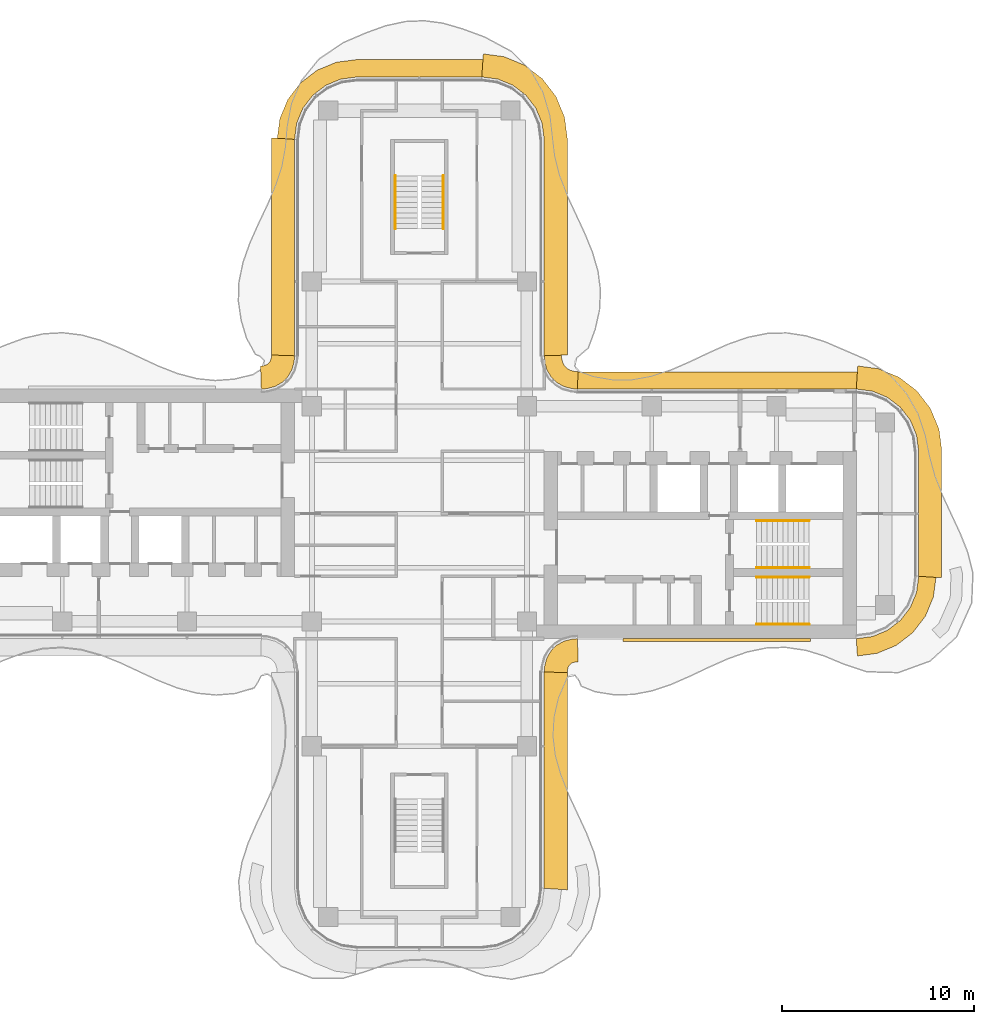
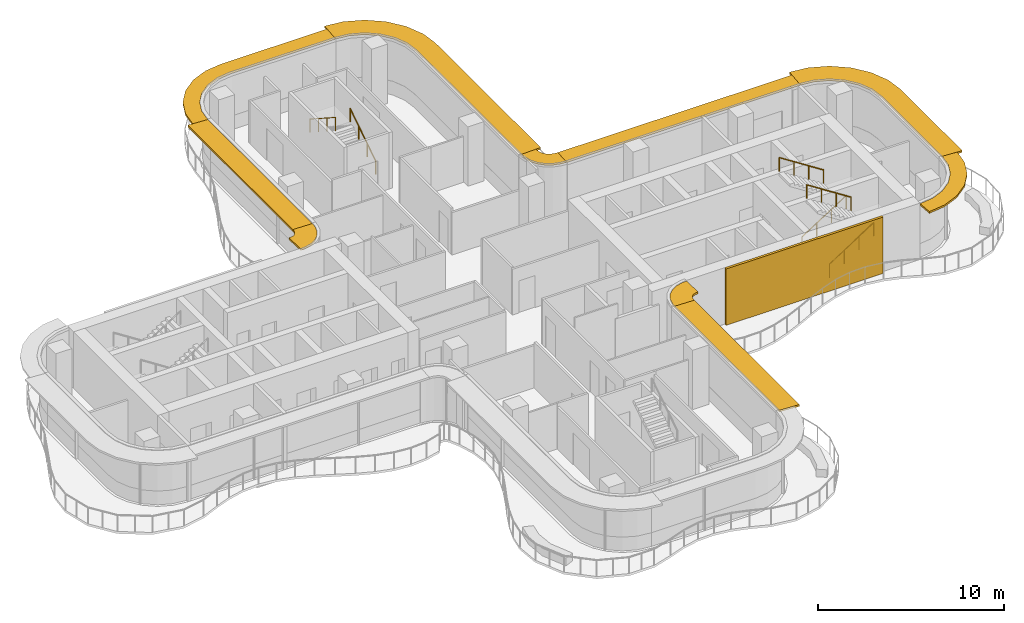
# One storey, part 17 of 17: 10 shading devices, 6 railings, 1 covering.
"""IFC4 building model written with IfcOpenShell, lengths in metres."""

from ifc_helpers import new_model, si_unit, direction, frame, origin, origin_2d, place, context, subcontext, project, spatial, polyline, circle, outline, extrude, source, transform, mapped, material, layer, layer_set, type_object, element, save


model = new_model("IFC4")

# Units and contexts
model_context = context("Model", 3, precision=1e-05, world=origin(), true_north=direction((0.0, 1.0)))
body_context = subcontext(model_context, "Body", "Model", "MODEL_VIEW")
ifc_project = project(units=[si_unit("LENGTHUNIT", "METRE"), si_unit("AREAUNIT", "SQUARE_METRE"), si_unit("VOLUMEUNIT", "CUBIC_METRE"), si_unit("PLANEANGLEUNIT", "RADIAN"), si_unit("MASSUNIT", "GRAM", prefix="KILO")], contexts=[model_context])

# Site, building, storey
site_placement = place(None, origin())
site = spatial("IfcSite", under=ifc_project, at=site_placement, CompositionType="ELEMENT")
building_placement = place(site_placement, origin())
building = spatial("IfcBuilding", under=site, at=building_placement, Name="Trellis Farm Tower", CompositionType="ELEMENT")
storey_placement = place(building_placement, frame((0.0, 0.0, 295.0)))
storey = spatial("IfcBuildingStorey", under=building, at=storey_placement, Name="L66", CompositionType="ELEMENT", Elevation=295.0)

# Railings
ifc_material_1 = material(Name="Stainless steel", Category="steel")
railing_type = type_object("IfcRailingType", Name="STAIR HANDRAIL 900", PredefinedType="HANDRAIL", material=ifc_material_1)
shared_shape_1 = source(origin(), body_context, "Body", "SweptSolid", [
    extrude(circle(Radius=0.02392578125, at=origin_2d()), frame((0.0, 0.0, 0.8759765625), z_axis=(0.0, 0.840503830235, 0.541805602924), x_axis=(-1.0, 0.0, 0.0)), (0.0, 0.0, 1.0), 3.271728515625),
    extrude(circle(Radius=0.02099609375, at=origin_2d()), origin(), (0.0, 0.0, 1.0), 0.851806640625),
    extrude(circle(Radius=0.02099609375, at=origin_2d()), frame((0.0, 0.916748046875, 0.5908203125)), (0.0, 0.0, 1.0), 0.851806640625),
    extrude(circle(Radius=0.02099609375, at=origin_2d()), frame((0.0, 1.833251953125, 1.181884765625)), (0.0, 0.0, 1.0), 0.851806640625),
    extrude(circle(Radius=0.02099609375, at=origin_2d()), frame((0.0, 2.75, 1.772705078125)), (0.0, 0.0, 1.0), 0.851806640625),
])
railing_1_placement = place(storey_placement, frame((1.25, 14.85009765625, 0.17724609375)))
element("IfcRailing", 1, at=railing_1_placement, inside=storey, type_object=railing_type, Name="Stair handrail", PredefinedType="HANDRAIL", context=body_context, shape_type="MappedRepresentation", body=[
    mapped(shared_shape_1, transform((0.0, 0.0, 0.0))),
])
shared_shape_2 = source(origin(), body_context, "Body", "SweptSolid", [
    extrude(circle(Radius=0.02392578125, at=origin_2d()), frame((0.0, 0.0, 0.8759765625), z_axis=(0.0, -0.840503830235, 0.541805602924), x_axis=(1.0, 0.0, 0.0)), (0.0, 0.0, 1.0), 3.271728515625),
    extrude(circle(Radius=0.02099609375, at=origin_2d()), origin(), (0.0, 0.0, 1.0), 0.851806640625),
    extrude(circle(Radius=0.02099609375, at=origin_2d()), frame((0.0, -0.916748046875, 0.5908203125)), (0.0, 0.0, 1.0), 0.851806640625),
    extrude(circle(Radius=0.02099609375, at=origin_2d()), frame((0.0, -1.833251953125, 1.181884765625)), (0.0, 0.0, 1.0), 0.851806640625),
    extrude(circle(Radius=0.02099609375, at=origin_2d()), frame((0.0, -2.75, 1.772705078125)), (0.0, 0.0, 1.0), 0.851806640625),
])
railing_2_placement = place(storey_placement, frame((-1.25, 17.60009765625, 2.127197265625)))
element("IfcRailing", 2, at=railing_2_placement, inside=storey, type_object=railing_type, Name="Stair handrail", PredefinedType="HANDRAIL", context=body_context, shape_type="MappedRepresentation", body=[
    mapped(shared_shape_2, transform((0.0, 0.0, 0.0))),
])
shared_shape_3 = source(origin(), body_context, "Body", "SweptSolid", [
    extrude(circle(Radius=0.02392578125, at=origin_2d()), frame((0.0, 0.0, 0.8759765625), z_axis=(0.840503830235, 0.0, 0.541805602924), x_axis=(0.0, 1.0, 0.0)), (0.0, 0.0, 1.0), 3.271728515625),
    extrude(circle(Radius=0.02099609375, at=origin_2d()), origin(), (0.0, 0.0, 1.0), 0.851806640625),
    extrude(circle(Radius=0.02099609375, at=origin_2d()), frame((0.916748046875, 0.0, 0.5908203125)), (0.0, 0.0, 1.0), 0.851806640625),
    extrude(circle(Radius=0.02099609375, at=origin_2d()), frame((1.833251953125, 0.0, 1.181884765625)), (0.0, 0.0, 1.0), 0.851806640625),
    extrude(circle(Radius=0.02099609375, at=origin_2d()), frame((2.75, 0.0, 1.772705078125)), (0.0, 0.0, 1.0), 0.851806640625),
])
for number, where, name in (
    (3, (17.550048828125, -5.75, 0.17724609375), "Stair handrail"),
    (4, (17.550048828125, -2.800048828125, 0.17724609375), "Stair handrail"),
):
    element("IfcRailing", number, at=place(storey_placement, frame(where)), inside=storey, type_object=railing_type, Name=name, PredefinedType="HANDRAIL", context=body_context, shape_type="MappedRepresentation", body=[
        mapped(shared_shape_3, transform((0.0, 0.0, 0.0))),
    ])
shared_shape_4 = source(origin(), body_context, "Body", "SweptSolid", [
    extrude(circle(Radius=0.02392578125, at=origin_2d()), frame((0.0, 0.0, 0.8759765625), z_axis=(-0.840503830235, 0.0, 0.541805602924), x_axis=(0.0, -1.0, 0.0)), (0.0, 0.0, 1.0), 3.271728515625),
    extrude(circle(Radius=0.02099609375, at=origin_2d()), origin(), (0.0, 0.0, 1.0), 0.851806640625),
    extrude(circle(Radius=0.02099609375, at=origin_2d()), frame((-0.916748046875, 0.0, 0.5908203125)), (0.0, 0.0, 1.0), 0.851806640625),
    extrude(circle(Radius=0.02099609375, at=origin_2d()), frame((-1.833251953125, 0.0, 1.181884765625)), (0.0, 0.0, 1.0), 0.851806640625),
    extrude(circle(Radius=0.02099609375, at=origin_2d()), frame((-2.75, 0.0, 1.772705078125)), (0.0, 0.0, 1.0), 0.851806640625),
])
for number, where, name in (
    (5, (20.300048828125, -3.300048828125, 2.127197265625), "Stair handrail"),
    (6, (20.300048828125, -0.35009765625, 2.127197265625), "Stair handrail"),
):
    element("IfcRailing", number, at=place(storey_placement, frame(where)), inside=storey, type_object=railing_type, Name=name, PredefinedType="HANDRAIL", context=body_context, shape_type="MappedRepresentation", body=[
        mapped(shared_shape_4, transform((0.0, 0.0, 0.0))),
    ])

# Shading devices
ifc_material_2 = material(Name="Aluminium extrusion 6063-T6", Category="aluminium")
ifc_layer_1 = layer(ifc_material_2, 0.1201171875)
ifc_layer_set_1 = layer_set([ifc_layer_1], Name="SUNSHADE BLADE 1200")
shading_device_type_1 = type_object("IfcShadingDeviceType", Name="SUNSHADE BLADE 1200", PredefinedType="USERDEFINED", material=ifc_layer_set_1)
shared_shape_5 = source(origin(), body_context, "Body", "SweptSolid", [
    extrude(outline(polyline([(7.699951171875, -8.270751953125), (7.708740234375, -8.13720703125), (7.70703125, -8.150146484375), (7.7548828125, -7.9716796875), (7.80712890625, -7.881103515625), (7.881103515625, -7.80712890625), (7.9716796875, -7.7548828125), (8.150146484375, -7.70703125), (8.13720703125, -7.708740234375), (8.270751953125, -7.699951171875), (8.2314453125, -6.5), (8.01953125, -6.513916015625), (7.91552734375, -6.527587890625), (7.508544921875, -6.63671875), (7.144287109375, -6.846923828125), (6.846923828125, -7.144287109375), (6.63671875, -7.508544921875), (6.527587890625, -7.91552734375), (6.513916015625, -8.01953125), (6.5, -8.2314453125), (7.699951171875, -8.270751953125)])), origin(), (0.0, 0.0, 1.0), 0.119873046875),
])
placement = place(storey_placement, frame((0.0, 0.0, 3.5400390625)))
element("IfcShadingDevice", 7, at=placement, inside=storey, type_object=shading_device_type_1, Name="SD2 006", ObjectType="SUNSHADE", PredefinedType="USERDEFINED", context=body_context, shape_type="MappedRepresentation", body=[
    mapped(shared_shape_5, transform((0.0, 0.0, 0.0))),
])
ifc_layer_2 = layer(ifc_material_2, 0.1201171875)
ifc_layer_set_2 = layer_set([ifc_layer_2], Name="SUNSHADE BLADE 900")
shading_device_type_2 = type_object("IfcShadingDeviceType", Name="SUNSHADE BLADE 900", PredefinedType="USERDEFINED", material=ifc_layer_set_2)
shared_shape_6 = source(origin(), body_context, "Body", "SweptSolid", [
    extrude(outline(polyline([(8.2607421875, 7.39990234375), (8.107666015625, 7.409912109375), (8.091552734375, 7.412109375), (7.85595703125, 7.475341796875), (7.697021484375, 7.567138671875), (7.567138671875, 7.697021484375), (7.475341796875, 7.85595703125), (7.412109375, 8.091552734375), (7.409912109375, 8.107666015625), (7.39990234375, 8.2607421875), (6.5, 8.2314453125), (6.513916015625, 8.01953125), (6.527587890625, 7.91552734375), (6.63671875, 7.508544921875), (6.846923828125, 7.144287109375), (7.144287109375, 6.846923828125), (7.508544921875, 6.63671875), (7.91552734375, 6.527587890625), (8.01953125, 6.513916015625), (8.2314453125, 6.5), (8.2607421875, 7.39990234375)])), origin(), (0.0, 0.0, 1.0), 0.119873046875),
])
element("IfcShadingDevice", 8, at=placement, inside=storey, type_object=shading_device_type_2, Name="SD1 010", ObjectType="SUNSHADE", PredefinedType="USERDEFINED", context=body_context, shape_type="MappedRepresentation", body=[
    mapped(shared_shape_6, transform((0.0, 0.0, 0.0))),
])
shared_shape_7 = source(origin(), body_context, "Body", "SweptSolid", [
    extrude(outline(polyline([(-7.699951171875, 8.270751953125), (-7.708740234375, 8.13720703125), (-7.70703125, 8.150146484375), (-7.7548828125, 7.9716796875), (-7.80712890625, 7.881103515625), (-7.881103515625, 7.80712890625), (-7.9716796875, 7.7548828125), (-8.150146484375, 7.70703125), (-8.13720703125, 7.708740234375), (-8.270751953125, 7.699951171875), (-8.2314453125, 6.5), (-8.01953125, 6.513916015625), (-7.91552734375, 6.527587890625), (-7.508544921875, 6.63671875), (-7.144287109375, 6.846923828125), (-6.846923828125, 7.144287109375), (-6.63671875, 7.508544921875), (-6.527587890625, 7.91552734375), (-6.513916015625, 8.01953125), (-6.5, 8.2314453125), (-7.699951171875, 8.270751953125)])), origin(), (0.0, 0.0, 1.0), 0.119873046875),
])
element("IfcShadingDevice", 9, at=placement, inside=storey, type_object=shading_device_type_1, Name="SD2 014", ObjectType="SUNSHADE", PredefinedType="USERDEFINED", context=body_context, shape_type="MappedRepresentation", body=[
    mapped(shared_shape_7, transform((0.0, 0.0, 0.0))),
])
shared_shape_8 = source(origin(), body_context, "Body", "SweptSolid", [
    extrude(outline(polyline([(7.699951171875, 8.270751953125), (7.699951171875, 19.57861328125), (7.558349609375, 20.654541015625), (7.11279296875, 21.730224609375), (6.404052734375, 22.654052734375), (5.480224609375, 23.36279296875), (4.404541015625, 23.808349609375), (3.32861328125, 23.949951171875), (3.25, 22.75), (4.091064453125, 22.63916015625), (4.875, 22.314697265625), (5.548095703125, 21.798095703125), (6.064697265625, 21.125), (6.38916015625, 20.341064453125), (6.5, 19.5), (6.5, 8.2314453125), (7.699951171875, 8.270751953125)])), origin(), (0.0, 0.0, 1.0), 0.119873046875),
])
element("IfcShadingDevice", 10, at=placement, inside=storey, type_object=shading_device_type_1, Name="SD2 011", ObjectType="SUNSHADE", PredefinedType="USERDEFINED", context=body_context, shape_type="MappedRepresentation", body=[
    mapped(shared_shape_8, transform((0.0, 0.0, 0.0))),
])
shared_shape_9 = source(origin(), body_context, "Body", "SweptSolid", [
    extrude(outline(polyline([(3.30908203125, 23.64990234375), (-3.30908203125, 23.64990234375), (-4.326171875, 23.51611328125), (-5.328857421875, 23.100830078125), (-6.18994140625, 22.43994140625), (-6.850830078125, 21.578857421875), (-7.26611328125, 20.576171875), (-7.39990234375, 19.55908203125), (-6.5, 19.5), (-6.38916015625, 20.341064453125), (-6.064697265625, 21.125), (-5.548095703125, 21.798095703125), (-4.875, 22.314697265625), (-4.091064453125, 22.63916015625), (-3.25, 22.75), (3.25, 22.75), (3.30908203125, 23.64990234375)])), origin(), (0.0, 0.0, 1.0), 0.119873046875),
])
element("IfcShadingDevice", 11, at=placement, inside=storey, type_object=shading_device_type_2, Name="SD1 012", ObjectType="SUNSHADE", PredefinedType="USERDEFINED", context=body_context, shape_type="MappedRepresentation", body=[
    mapped(shared_shape_9, transform((0.0, 0.0, 0.0))),
])
shared_shape_10 = source(origin(), body_context, "Body", "SweptSolid", [
    extrude(outline(polyline([(-7.699951171875, 19.57861328125), (-7.699951171875, 8.270751953125), (-6.5, 8.2314453125), (-6.5, 19.5), (-7.699951171875, 19.57861328125)])), origin(), (0.0, 0.0, 1.0), 0.119873046875),
])
element("IfcShadingDevice", 12, at=placement, inside=storey, type_object=shading_device_type_1, Name="SD2 013", ObjectType="SUNSHADE", PredefinedType="USERDEFINED", context=body_context, shape_type="MappedRepresentation", body=[
    mapped(shared_shape_10, transform((0.0, 0.0, 0.0))),
])

# Covering
ifc_material_3 = material(Name="Perforated precast screen (cobogo)", Category="concrete")
ifc_layer_3 = layer(ifc_material_3, 0.14990234375)
ifc_layer_set_3 = layer_set([ifc_layer_3], Name="COBOGO SCREEN PANEL")
covering_type = type_object("IfcCoveringType", Name="COBOGO SCREEN PANEL", PredefinedType="USERDEFINED", material=ifc_layer_set_3)
shared_shape_11 = source(origin(), body_context, "Body", "SweptSolid", [
    extrude(outline(polyline([(10.61572265625, -6.64990234375), (20.36572265625, -6.64990234375), (20.36572265625, -6.5), (10.61572265625, -6.5), (10.61572265625, -6.64990234375)])), origin(), (0.0, 0.0, 1.0), 3.699951171875),
])
covering_placement = place(storey_placement, origin())
element("IfcCovering", 13, at=covering_placement, inside=storey, type_object=covering_type, Name="SC1 01", ObjectType="SCREEN", PredefinedType="USERDEFINED", context=body_context, shape_type="MappedRepresentation", body=[
    mapped(shared_shape_11, transform((0.0, 0.0, 0.0))),
])

# Shading devices
shared_shape_12 = source(origin(), body_context, "Body", "SweptSolid", [
    extrude(outline(polyline([(22.80908203125, -7.39990234375), (23.826171875, -7.26611328125), (24.828857421875, -6.850830078125), (25.68994140625, -6.18994140625), (26.350830078125, -5.328857421875), (26.76611328125, -4.326171875), (26.89990234375, -3.30908203125), (26.0, -3.25), (25.88916015625, -4.091064453125), (25.564697265625, -4.875), (25.048095703125, -5.548095703125), (24.375, -6.064697265625), (23.591064453125, -6.38916015625), (22.75, -6.5), (22.80908203125, -7.39990234375)])), origin(), (0.0, 0.0, 1.0), 0.119873046875),
])
element("IfcShadingDevice", 14, at=placement, inside=storey, type_object=shading_device_type_2, Name="SD1 007", ObjectType="SUNSHADE", PredefinedType="USERDEFINED", context=body_context, shape_type="MappedRepresentation", body=[
    mapped(shared_shape_12, transform((0.0, 0.0, 0.0))),
])
shared_shape_13 = source(origin(), body_context, "Body", "SweptSolid", [
    extrude(outline(polyline([(27.199951171875, -3.32861328125), (27.199951171875, 3.32861328125), (27.058349609375, 4.404541015625), (26.61279296875, 5.480224609375), (25.904052734375, 6.404052734375), (24.980224609375, 7.11279296875), (23.904541015625, 7.558349609375), (22.82861328125, 7.699951171875), (22.75, 6.5), (23.591064453125, 6.38916015625), (24.375, 6.064697265625), (25.048095703125, 5.548095703125), (25.564697265625, 4.875), (25.88916015625, 4.091064453125), (26.0, 3.25), (26.0, -3.25), (27.199951171875, -3.32861328125)])), origin(), (0.0, 0.0, 1.0), 0.119873046875),
])
element("IfcShadingDevice", 15, at=placement, inside=storey, type_object=shading_device_type_1, Name="SD2 008", ObjectType="SUNSHADE", PredefinedType="USERDEFINED", context=body_context, shape_type="MappedRepresentation", body=[
    mapped(shared_shape_13, transform((0.0, 0.0, 0.0))),
])
shared_shape_14 = source(origin(), body_context, "Body", "SweptSolid", [
    extrude(outline(polyline([(22.80908203125, 7.39990234375), (8.2607421875, 7.39990234375), (8.2314453125, 6.5), (22.75, 6.5), (22.80908203125, 7.39990234375)])), origin(), (0.0, 0.0, 1.0), 0.119873046875),
])
element("IfcShadingDevice", 16, at=placement, inside=storey, type_object=shading_device_type_2, Name="SD1 009", ObjectType="SUNSHADE", PredefinedType="USERDEFINED", context=body_context, shape_type="MappedRepresentation", body=[
    mapped(shared_shape_14, transform((0.0, 0.0, 0.0))),
])
shared_shape_15 = source(origin(), body_context, "Body", "SweptSolid", [
    extrude(outline(polyline([(7.699951171875, -19.57861328125), (7.699951171875, -8.270751953125), (6.5, -8.2314453125), (6.5, -19.5), (7.699951171875, -19.57861328125)])), origin(), (0.0, 0.0, 1.0), 0.119873046875),
])
element("IfcShadingDevice", 17, at=placement, inside=storey, type_object=shading_device_type_1, Name="SD2 005", ObjectType="SUNSHADE", PredefinedType="USERDEFINED", context=body_context, shape_type="MappedRepresentation", body=[
    mapped(shared_shape_15, transform((0.0, 0.0, 0.0))),
])

save(model, "model.ifc")
